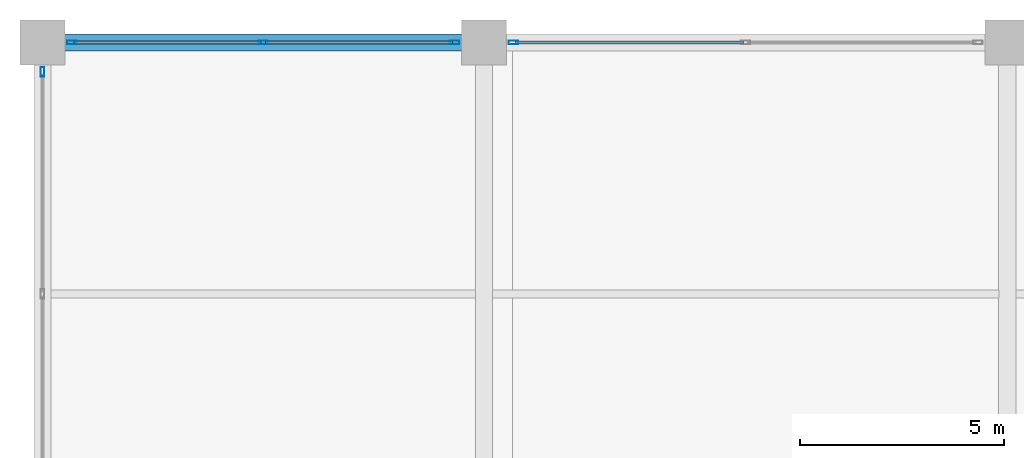
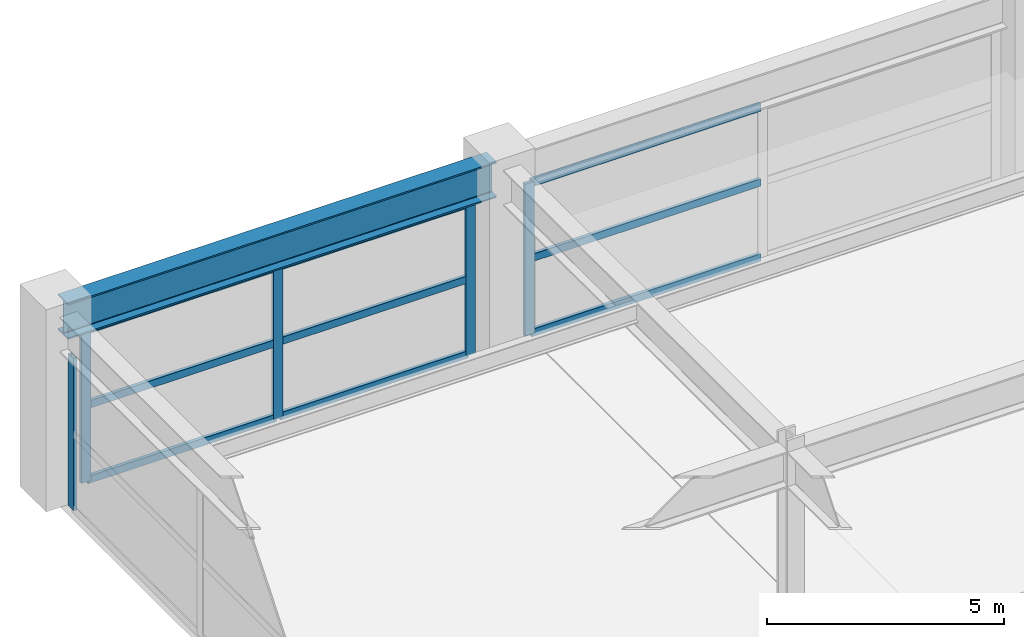
# One storey, part 13 of 35: 14 members, 1 beam, 3 elements without a shape of their own.
"""IFC4 building model written with IfcOpenShell, lengths in metres."""

import ifcopenshell
import ifcopenshell.guid

model = None  # the IFC model being written
_history = None  # IfcOwnerHistory: only IFC2X3 demands one
_inside = {}  # id of a spatial element -> (the spatial element, [elements in it])
_under = {}  # id of a project, library or spatial element -> (it, [spatial elements below it])
_declared = {}  # id of a project -> (the project, [libraries it declares])
_typed = {}  # id of a type object -> (the type object, [elements of that type])
_made_of = {}  # id of a material, layer set ... -> (it, [elements and type objects made of it])


def new_model(schema):
    """Start an empty IFC model of exactly this schema.

    Asked for "IFC4X3", IfcOpenShell would pick the latest addendum, in which some entities
    have other attributes; the version numbers below select the first issue.
    IFC2X3 requires an IfcOwnerHistory on every rooted entity: one is made here for all.
    """
    global model, _history
    if schema == "IFC4X3":
        model = ifcopenshell.file(schema_version=(4, 3, 0, 0))
    else:
        model = ifcopenshell.file(schema=schema)
    _inside.clear()
    _under.clear()
    _declared.clear()
    _typed.clear()
    _made_of.clear()
    _history = None
    if model.schema == "IFC2X3":
        org = make("IfcOrganization", Name="unknown")
        user = make(
            "IfcPersonAndOrganization",
            ThePerson=make("IfcPerson", FamilyName="unknown"),
            TheOrganization=org,
        )
        app = make(
            "IfcApplication",
            ApplicationDeveloper=org,
            Version="unknown",
            ApplicationFullName="unknown",
            ApplicationIdentifier="unknown",
        )
        _history = make(
            "IfcOwnerHistory",
            OwningUser=user,
            OwningApplication=app,
            ChangeAction="ADDED",
            CreationDate=0,
        )
    return model


def make(cls, **values):
    """One entity of the class cls with the attributes given. An attribute that is None is left unset."""
    return model.create_entity(
        cls, **{name: value for name, value in values.items() if value is not None}
    )


def rooted(cls, **values):
    """An entity with a GlobalId (a new one), such as an element, a storey or a relation."""
    return make(cls, GlobalId=ifcopenshell.guid.new(), OwnerHistory=_history, **values)


def si_unit(unit_type, name, prefix=None):
    """IfcSIUnit, for example si_unit("LENGTHUNIT", "METRE", prefix="MILLI")."""
    return make("IfcSIUnit", UnitType=unit_type, Prefix=prefix, Name=name)


def assignment(units):
    """IfcUnitAssignment: the units of a project."""
    return None if units is None else make("IfcUnitAssignment", Units=units)


def point(xyz):
    """IfcCartesianPoint."""
    return None if xyz is None else make("IfcCartesianPoint", Coordinates=xyz)


def direction(xyz):
    """IfcDirection."""
    return None if xyz is None else make("IfcDirection", DirectionRatios=xyz)


def frame(location, z_axis=None, x_axis=None):
    """IfcAxis2Placement3D, a coordinate frame: its origin and axes. An axis left out is left unset."""
    return make(
        "IfcAxis2Placement3D",
        Location=point(location),
        Axis=direction(z_axis),
        RefDirection=direction(x_axis),
    )


def frame_2d(location, x_axis=None):
    """IfcAxis2Placement2D, a coordinate frame in the plane: its origin and x axis."""
    return make(
        "IfcAxis2Placement2D", Location=point(location), RefDirection=direction(x_axis)
    )


def origin():
    """The frame at (0, 0, 0) with its axes left unset."""
    return frame((0.0, 0.0, 0.0))


def origin_2d():
    """The frame at (0, 0) in the plane with its x axis left unset."""
    return frame_2d((0.0, 0.0))


def place(relative_to, where):
    """IfcLocalPlacement: puts the frame where relative to a parent placement (None: the world)."""
    return make(
        "IfcLocalPlacement", PlacementRelTo=relative_to, RelativePlacement=where
    )


def context(
    kind, dimensions, precision=None, world=None, true_north=None, identifier=None
):
    """IfcGeometricRepresentationContext, for example the 3D "Model" context."""
    return make(
        "IfcGeometricRepresentationContext",
        ContextIdentifier=identifier,
        ContextType=kind,
        CoordinateSpaceDimension=dimensions,
        Precision=precision,
        WorldCoordinateSystem=world,
        TrueNorth=true_north,
    )


def subcontext(parent, identifier, kind, view, scale=None):
    """IfcGeometricRepresentationSubContext, for example "Body" below "Model"."""
    return make(
        "IfcGeometricRepresentationSubContext",
        ContextIdentifier=identifier,
        ContextType=kind,
        ParentContext=parent,
        TargetScale=scale,
        TargetView=view,
    )


def project(units=None, contexts=None):
    """IfcProject with its units and contexts."""
    return rooted(
        "IfcProject",
        Name="project",
        RepresentationContexts=contexts,
        UnitsInContext=assignment(units),
    )


def spatial(cls, under=None, at=None, **own):
    """A site, building, storey or space (cls), placed at a placement, below another one or the project."""
    s = rooted(cls, ObjectPlacement=at, **own)
    if under is not None:
        _under.setdefault(under.id(), (under, []))[1].append(s)
    return s


def profile(cls, at=None, kind="AREA", **sizes):
    """A parametric profile (cls). Its sizes go by their IFC names, for example OverallWidth=200.0."""
    return make(cls, ProfileType=kind, Position=at, **sizes)


def hollow_rectangle(**sizes):
    """IfcRectangleHollowProfileDef."""
    return profile("IfcRectangleHollowProfileDef", **sizes)


def i_section(**sizes):
    """IfcIShapeProfileDef."""
    return profile("IfcIShapeProfileDef", **sizes)


def extrude(swept, where, along, depth):
    """IfcExtrudedAreaSolid: the profile swept, set in the frame where, extruded along a direction by depth."""
    return make(
        "IfcExtrudedAreaSolid",
        SweptArea=swept,
        Position=where,
        ExtrudedDirection=direction(along),
        Depth=depth,
    )


def shape(context_of_items, identifier, shape_type, items):
    """IfcShapeRepresentation: the items that make up one representation, for example the "Body"."""
    return make(
        "IfcShapeRepresentation",
        ContextOfItems=context_of_items,
        RepresentationIdentifier=identifier,
        RepresentationType=shape_type,
        Items=items,
    )


def material(Name=None, Category=None):
    """IfcMaterial."""
    return make("IfcMaterial", Name=Name, Category=Category)


def material_profile(
    of_material, cross_section, Name=None, Category=None, Priority=None
):
    """IfcMaterialProfile: a cross section and its material."""
    return make(
        "IfcMaterialProfile",
        Name=Name,
        Material=of_material,
        Profile=cross_section,
        Priority=Priority,
        Category=Category,
    )


def profile_set(profiles, Name=None, composite=None):
    """IfcMaterialProfileSet."""
    return make(
        "IfcMaterialProfileSet",
        Name=Name,
        MaterialProfiles=profiles,
        CompositeProfile=composite,
    )


def made_of(thing, what):
    """Note that an element or type object is made of a material, layer set ...; save() writes the relation."""
    if what is not None:
        _made_of.setdefault(what.id(), (what, []))[1].append(thing)
    return thing


def type_object(cls, material=None, **own):
    """A type object (cls), such as IfcWallType, which elements share."""
    return made_of(rooted(cls, **own), material)


def element(
    cls,
    number,
    at=None,
    inside=None,
    cuts=None,
    type_object=None,
    material=None,
    context=None,
    identifier="Body",
    shape_type=None,
    held_by="IfcProductDefinitionShape",
    body=None,
    shapes=None,
    **own,
):
    """One element of the class cls, such as IfcWall. Its Tag is "e" and its number.

    at: its placement. inside: the storey or other place that contains it. cuts: it is an
    opening in that element (IfcRelVoidsElement). A single representation is given by context,
    identifier, shape_type and body (its items); several are given by shapes. held_by: the class
    of the entity that holds the representations. save() writes the other relations.
    """
    e = rooted(cls, Tag="e%d" % number, ObjectPlacement=at, **own)
    if body is not None:
        shapes = [shape(context, identifier, shape_type, body)]
    if shapes is not None:
        e.Representation = make(held_by, Representations=shapes)
    if inside is not None:
        _inside.setdefault(inside.id(), (inside, []))[1].append(e)
    if cuts is not None:
        rooted(
            "IfcRelVoidsElement", RelatingBuildingElement=cuts, RelatedOpeningElement=e
        )
    if type_object is not None:
        _typed.setdefault(type_object.id(), (type_object, []))[1].append(e)
    return made_of(e, material)


def aggregate(whole, parts):
    """IfcRelAggregates: a whole, such as a stair, and the parts it consists of."""
    return rooted("IfcRelAggregates", RelatingObject=whole, RelatedObjects=parts)


def save(model, path):
    """Write the relations noted so far, then the file.

    IfcRelAggregates (storeys below a building ...), IfcRelContainedInSpatialStructure (elements
    in a storey), IfcRelDefinesByType, IfcRelAssociatesMaterial and IfcRelDeclares: one each for
    every whole, place, type object, material and project.
    """
    for whole, parts in _under.values():
        aggregate(whole, parts)
    for where, things in _inside.values():
        rooted(
            "IfcRelContainedInSpatialStructure",
            RelatedElements=things,
            RelatingStructure=where,
        )
    for kind, things in _typed.values():
        rooted("IfcRelDefinesByType", RelatedObjects=things, RelatingType=kind)
    for what, things in _made_of.values():
        rooted("IfcRelAssociatesMaterial", RelatedObjects=things, RelatingMaterial=what)
    for by, libraries in _declared.values():
        rooted("IfcRelDeclares", RelatingContext=by, RelatedDefinitions=libraries)
    model.write(path)


model = new_model("IFC4")

# Units and contexts
model_context = context("Model", 3, precision=1e-05, world=origin(), true_north=direction((0.0, 1.0)))
body_context = subcontext(model_context, "Body", "Model", "MODEL_VIEW")
ifc_project = project(units=[si_unit("LENGTHUNIT", "METRE"), si_unit("AREAUNIT", "SQUARE_METRE"), si_unit("VOLUMEUNIT", "CUBIC_METRE"), si_unit("PLANEANGLEUNIT", "RADIAN"), si_unit("MASSUNIT", "GRAM", prefix="KILO")], contexts=[model_context])

# Site, building, storey
site_placement = place(None, origin())
site = spatial("IfcSite", under=ifc_project, at=site_placement, CompositionType="ELEMENT")
building_placement = place(site_placement, origin())
building = spatial("IfcBuilding", under=site, at=building_placement, Name="Kovane Verandah Tower", CompositionType="ELEMENT")
storey_placement = place(building_placement, frame((0.0, 0.0, 16.39990234375)))
storey = spatial("IfcBuildingStorey", under=building, at=storey_placement, Name="L03", CompositionType="ELEMENT", Elevation=16.39990234375)

# Beam
ifc_material_1 = material(Name="Steel S460", Category="steel")
ifc_material_profile_1 = material_profile(ifc_material_1, i_section(OverallWidth=0.42041015625, OverallDepth=0.9208984375, WebThickness=0.021484375, FlangeThickness=0.03662109375, FilletRadius=0.024169921875, at=origin_2d()), Name="UB914x419x388")
ifc_profile_set_1 = profile_set([ifc_material_profile_1], Name="Steel S460")
beam_type = type_object("IfcBeamType", Name="BM-UB914x388", PredefinedType="BEAM", material=ifc_profile_set_1)
beam_placement = place(storey_placement, frame((-1.820068359375, 56.5, 4.439697265625), z_axis=(1.0, 0.0, 0.0), x_axis=(0.0, 1.0, 0.0)))
element("IfcBeam", 1, at=beam_placement, inside=storey, type_object=beam_type, Name="L03 Podium Garden Transfer Girder X17", PredefinedType="BEAM", context=body_context, shape_type="SweptSolid", body=[
    extrude(i_section(OverallWidth=0.42041015625, OverallDepth=0.9208984375, WebThickness=0.021484375, FlangeThickness=0.03662109375, FilletRadius=0.024169921875, at=origin_2d()), origin(), (0.0, 0.0, 1.0), 10.440185546875),
])

# Curtain wall, members
ifc_material_2 = material(Name="Champagne Anodised Aluminium Frame with Low-E Clear Laminated Glass", Category="aluminium")
curtain_wall_type = type_object("IfcCurtainWallType", Name="CW-SYS-01-POD", PredefinedType="NOTDEFINED", material=ifc_material_2)
curtain_wall_1_placement = place(storey_placement, origin())
curtain_wall_1 = element("IfcCurtainWall", 2, at=curtain_wall_1_placement, inside=storey, type_object=curtain_wall_type, Name="L03 North Podium Curtain Wall Bay 1", PredefinedType="NOTDEFINED")
ifc_material_3 = material(Name="Champagne Anodised Aluminium 6063-T6", Category="aluminium")
ifc_material_profile_2 = material_profile(ifc_material_3, hollow_rectangle(XDim=0.0849609375, YDim=0.22998046875, WallThickness=0.00390625, at=origin_2d()), Name="AL85x230x4")
ifc_profile_set_2 = profile_set([ifc_material_profile_2], Name="Champagne Anodised Aluminium 6063-T6")
member_type_1 = type_object("IfcMemberType", Name="CW-MUL-85x230", PredefinedType="MULLION", material=ifc_profile_set_2)
member_1_placement = place(storey_placement, frame((8.080078125, 56.5, 0.02001953125), z_axis=(0.0, 0.0, 1.0), x_axis=(0.0, 1.0, 0.0)))
member_1 = element("IfcMember", 3, at=member_1_placement, type_object=member_type_1, Name="L03 North Podium Curtain Wall Bay 1 Mullion 1", PredefinedType="MULLION", context=body_context, shape_type="SweptSolid", body=[
    extrude(hollow_rectangle(XDim=0.0849609375, YDim=0.22998046875, WallThickness=0.00390625, at=origin_2d()), origin(), (0.0, 0.0, 1.0), 3.919189453125),
])
member_2_placement = place(storey_placement, frame((3.39990234375, 56.5, 0.02001953125), z_axis=(0.0, 0.0, 1.0), x_axis=(0.0, 1.0, 0.0)))
member_2 = element("IfcMember", 4, at=member_2_placement, type_object=member_type_1, Name="L03 North Podium Curtain Wall Bay 1 Mullion 2", PredefinedType="MULLION", context=body_context, shape_type="SweptSolid", body=[
    extrude(hollow_rectangle(XDim=0.0849609375, YDim=0.22998046875, WallThickness=0.00390625, at=origin_2d()), origin(), (0.0, 0.0, 1.0), 3.919189453125),
])
member_3_placement = place(storey_placement, frame((-1.280029296875, 56.5, 0.02001953125), z_axis=(0.0, 0.0, 1.0), x_axis=(0.0, 1.0, 0.0)))
member_3 = element("IfcMember", 5, at=member_3_placement, type_object=member_type_1, Name="L03 North Podium Curtain Wall Bay 1 Mullion 3", PredefinedType="MULLION", context=body_context, shape_type="SweptSolid", body=[
    extrude(hollow_rectangle(XDim=0.0849609375, YDim=0.22998046875, WallThickness=0.00390625, at=origin_2d()), origin(), (0.0, 0.0, 1.0), 3.919189453125),
])

# Curtain wall, member
curtain_wall_2_placement = place(storey_placement, origin())
curtain_wall_2 = element("IfcCurtainWall", 6, at=curtain_wall_2_placement, inside=storey, type_object=curtain_wall_type, Name="L03 North Podium Curtain Wall Bay 2", PredefinedType="NOTDEFINED")
member_4_placement = place(storey_placement, frame((9.52001953125, 56.5, 0.02001953125), z_axis=(0.0, 0.0, 1.0), x_axis=(0.0, 1.0, 0.0)))
member_4 = element("IfcMember", 7, at=member_4_placement, type_object=member_type_1, Name="L03 North Podium Curtain Wall Bay 2 Mullion 3", PredefinedType="MULLION", context=body_context, shape_type="SweptSolid", body=[
    extrude(hollow_rectangle(XDim=0.0849609375, YDim=0.22998046875, WallThickness=0.00390625, at=origin_2d()), origin(), (0.0, 0.0, 1.0), 3.919189453125),
])

curtain_wall_3_placement = place(storey_placement, origin())
curtain_wall_3 = element("IfcCurtainWall", 8, at=curtain_wall_3_placement, inside=storey, type_object=curtain_wall_type, Name="L03 West Podium Curtain Wall Bay 5", PredefinedType="NOTDEFINED")
member_5_placement = place(storey_placement, frame((-2.0, 55.780029296875, 0.02001953125), z_axis=(0.0, 0.0, 1.0), x_axis=(-1.0, 0.0, 0.0)))
member_5 = element("IfcMember", 9, at=member_5_placement, type_object=member_type_1, Name="L03 West Podium Curtain Wall Bay 5 Mullion 1", PredefinedType="MULLION", context=body_context, shape_type="SweptSolid", body=[
    extrude(hollow_rectangle(XDim=0.0849609375, YDim=0.22998046875, WallThickness=0.00390625, at=origin_2d()), origin(), (0.0, 0.0, 1.0), 3.919189453125),
])
aggregate(curtain_wall_3, [member_5])

# Member
ifc_material_profile_3 = material_profile(ifc_material_3, hollow_rectangle(XDim=0.0849609375, YDim=0.18994140625, WallThickness=0.00390625, at=origin_2d()), Name="AL85x190x4")
ifc_profile_set_3 = profile_set([ifc_material_profile_3], Name="Champagne Anodised Aluminium 6063-T6")
member_type_2 = type_object("IfcMemberType", Name="CW-TRN-85x190", PredefinedType="USERDEFINED", material=ifc_profile_set_3)
member_6_placement = place(storey_placement, frame((8.030029296875, 56.5, 0.050048828125), z_axis=(-1.0, 0.0, 0.0), x_axis=(0.0, -1.0, 0.0)))
member_6 = element("IfcMember", 10, at=member_6_placement, type_object=member_type_2, Name="L03 North Podium Curtain Wall Bay 1 Transom TB Bay 1", ObjectType="TRANSOM", PredefinedType="USERDEFINED", context=body_context, shape_type="SweptSolid", body=[
    extrude(hollow_rectangle(XDim=0.0849609375, YDim=0.18994140625, WallThickness=0.00390625, at=origin_2d()), origin(), (0.0, 0.0, 1.0), 4.580078125),
])

member_7_placement = place(storey_placement, frame((8.030029296875, 56.5, 1.9794921875), z_axis=(-1.0, 0.0, 0.0), x_axis=(0.0, -1.0, 0.0)))
member_7 = element("IfcMember", 11, at=member_7_placement, type_object=member_type_2, Name="L03 North Podium Curtain Wall Bay 1 Transom TM Bay 1", ObjectType="TRANSOM", PredefinedType="USERDEFINED", context=body_context, shape_type="SweptSolid", body=[
    extrude(hollow_rectangle(XDim=0.0849609375, YDim=0.18994140625, WallThickness=0.00390625, at=origin_2d()), origin(), (0.0, 0.0, 1.0), 4.580078125),
])

member_8_placement = place(storey_placement, frame((8.030029296875, 56.5, 3.9091796875), z_axis=(-1.0, 0.0, 0.0), x_axis=(0.0, -1.0, 0.0)))
member_8 = element("IfcMember", 12, at=member_8_placement, type_object=member_type_2, Name="L03 North Podium Curtain Wall Bay 1 Transom TT Bay 1", ObjectType="TRANSOM", PredefinedType="USERDEFINED", context=body_context, shape_type="SweptSolid", body=[
    extrude(hollow_rectangle(XDim=0.0849609375, YDim=0.18994140625, WallThickness=0.00390625, at=origin_2d()), origin(), (0.0, 0.0, 1.0), 4.580078125),
])

member_9_placement = place(storey_placement, frame((3.35009765625, 56.5, 0.050048828125), z_axis=(-1.0, 0.0, 0.0), x_axis=(0.0, -1.0, 0.0)))
member_9 = element("IfcMember", 13, at=member_9_placement, type_object=member_type_2, Name="L03 North Podium Curtain Wall Bay 1 Transom TB Bay 2", ObjectType="TRANSOM", PredefinedType="USERDEFINED", context=body_context, shape_type="SweptSolid", body=[
    extrude(hollow_rectangle(XDim=0.0849609375, YDim=0.18994140625, WallThickness=0.00390625, at=origin_2d()), origin(), (0.0, 0.0, 1.0), 4.580078125),
])

member_10_placement = place(storey_placement, frame((3.35009765625, 56.5, 1.9794921875), z_axis=(-1.0, 0.0, 0.0), x_axis=(0.0, -1.0, 0.0)))
member_10 = element("IfcMember", 14, at=member_10_placement, type_object=member_type_2, Name="L03 North Podium Curtain Wall Bay 1 Transom TM Bay 2", ObjectType="TRANSOM", PredefinedType="USERDEFINED", context=body_context, shape_type="SweptSolid", body=[
    extrude(hollow_rectangle(XDim=0.0849609375, YDim=0.18994140625, WallThickness=0.00390625, at=origin_2d()), origin(), (0.0, 0.0, 1.0), 4.580078125),
])

member_11_placement = place(storey_placement, frame((3.35009765625, 56.5, 3.9091796875), z_axis=(-1.0, 0.0, 0.0), x_axis=(0.0, -1.0, 0.0)))
member_11 = element("IfcMember", 15, at=member_11_placement, type_object=member_type_2, Name="L03 North Podium Curtain Wall Bay 1 Transom TT Bay 2", ObjectType="TRANSOM", PredefinedType="USERDEFINED", context=body_context, shape_type="SweptSolid", body=[
    extrude(hollow_rectangle(XDim=0.0849609375, YDim=0.18994140625, WallThickness=0.00390625, at=origin_2d()), origin(), (0.0, 0.0, 1.0), 4.580078125),
])

aggregate(curtain_wall_1, [member_1, member_2, member_3, member_6, member_7, member_8, member_9, member_10, member_11])

member_12_placement = place(storey_placement, frame((15.14990234375, 56.5, 0.050048828125), z_axis=(-1.0, 0.0, 0.0), x_axis=(0.0, -1.0, 0.0)))
member_12 = element("IfcMember", 16, at=member_12_placement, type_object=member_type_2, Name="L03 North Podium Curtain Wall Bay 2 Transom TB Bay 2", ObjectType="TRANSOM", PredefinedType="USERDEFINED", context=body_context, shape_type="SweptSolid", body=[
    extrude(hollow_rectangle(XDim=0.0849609375, YDim=0.18994140625, WallThickness=0.00390625, at=origin_2d()), origin(), (0.0, 0.0, 1.0), 5.579833984375),
])

member_13_placement = place(storey_placement, frame((15.14990234375, 56.5, 1.9794921875), z_axis=(-1.0, 0.0, 0.0), x_axis=(0.0, -1.0, 0.0)))
member_13 = element("IfcMember", 17, at=member_13_placement, type_object=member_type_2, Name="L03 North Podium Curtain Wall Bay 2 Transom TM Bay 2", ObjectType="TRANSOM", PredefinedType="USERDEFINED", context=body_context, shape_type="SweptSolid", body=[
    extrude(hollow_rectangle(XDim=0.0849609375, YDim=0.18994140625, WallThickness=0.00390625, at=origin_2d()), origin(), (0.0, 0.0, 1.0), 5.579833984375),
])

member_14_placement = place(storey_placement, frame((15.14990234375, 56.5, 3.9091796875), z_axis=(-1.0, 0.0, 0.0), x_axis=(0.0, -1.0, 0.0)))
member_14 = element("IfcMember", 18, at=member_14_placement, type_object=member_type_2, Name="L03 North Podium Curtain Wall Bay 2 Transom TT Bay 2", ObjectType="TRANSOM", PredefinedType="USERDEFINED", context=body_context, shape_type="SweptSolid", body=[
    extrude(hollow_rectangle(XDim=0.0849609375, YDim=0.18994140625, WallThickness=0.00390625, at=origin_2d()), origin(), (0.0, 0.0, 1.0), 5.579833984375),
])

aggregate(curtain_wall_2, [member_4, member_12, member_13, member_14])

save(model, "model.ifc")
